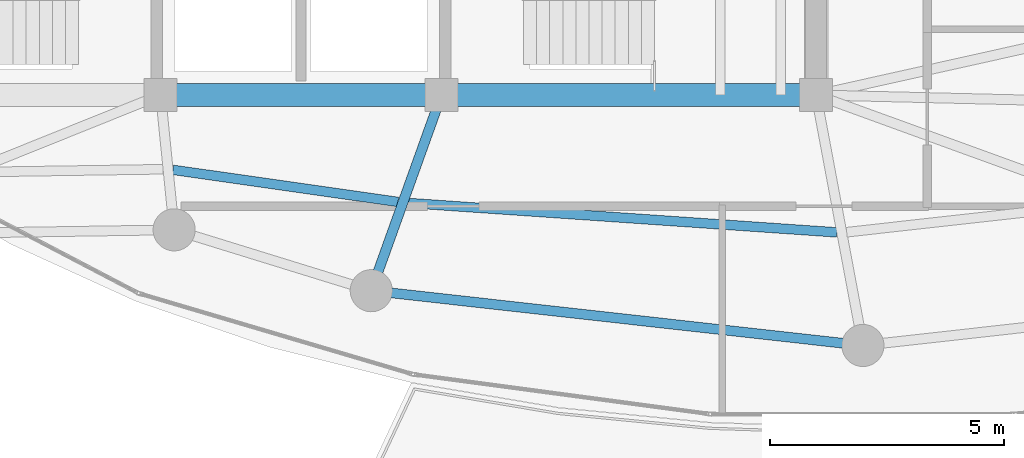
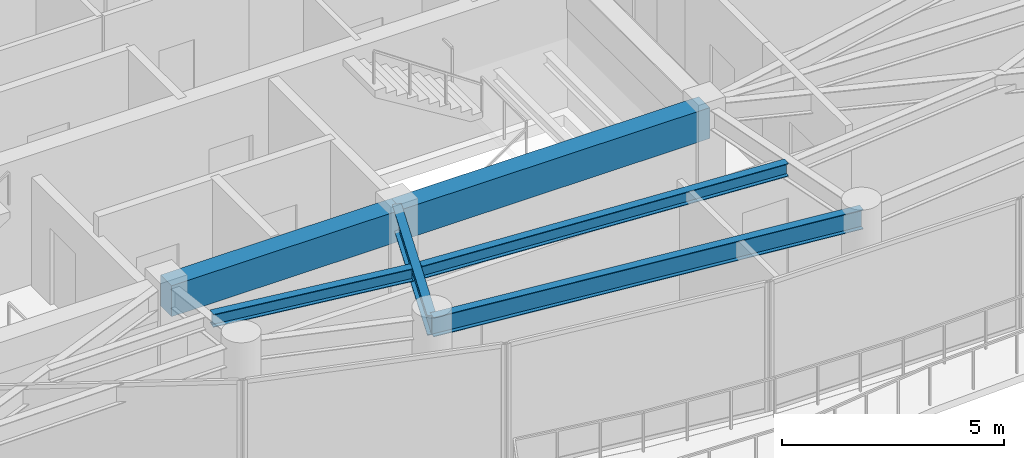
# One storey, part 6 of 29: 6 beams.
"""IFC4 building model written with IfcOpenShell, lengths in metres."""

from ifc_helpers import new_model, si_unit, direction, frame, origin, origin_2d, place, context, subcontext, project, spatial, rectangle, i_section, extrude, material, material_profile, profile_set, type_object, element, save


model = new_model("IFC4")

# Units and contexts
model_context = context("Model", 3, precision=1e-05, world=origin(), true_north=direction((0.0, 1.0)))
body_context = subcontext(model_context, "Body", "Model", "MODEL_VIEW")
ifc_project = project(units=[si_unit("LENGTHUNIT", "METRE"), si_unit("AREAUNIT", "SQUARE_METRE"), si_unit("VOLUMEUNIT", "CUBIC_METRE"), si_unit("PLANEANGLEUNIT", "RADIAN"), si_unit("MASSUNIT", "GRAM", prefix="KILO")], contexts=[model_context])

# Site, building, storey
site_placement = place(None, origin())
site = spatial("IfcSite", under=ifc_project, at=site_placement, CompositionType="ELEMENT")
building_placement = place(site_placement, origin())
building = spatial("IfcBuilding", under=site, at=building_placement, Name="Kazevale Care Tower and Concert Hall", CompositionType="ELEMENT")
storey_placement = place(building_placement, frame((0.0, 0.0, 281.39990234375)))
storey = spatial("IfcBuildingStorey", under=building, at=storey_placement, Name="L74", CompositionType="ELEMENT", Elevation=281.39990234375)

# Beams
ifc_material_1 = material(Name="Concrete C60", Category="concrete")
ifc_material_profile_1 = material_profile(ifc_material_1, rectangle(XDim=0.5, YDim=0.85009765625, at=origin_2d()), Name="RC-B500x850")
ifc_profile_set_1 = profile_set([ifc_material_profile_1], Name="Concrete C60")
beam_type_1 = type_object("IfcBeamType", Name="Core Coupling Beam RC500x850", PredefinedType="LINTEL", material=ifc_profile_set_1)
beam_1_placement = place(storey_placement, frame((30.0, 23.60009765625, 3.135009765625), z_axis=(1.0, 0.0, 0.0), x_axis=(0.0, 1.0, 0.0)))
element("IfcBeam", 1, at=beam_1_placement, inside=storey, type_object=beam_type_1, Name="beam:L74:coretie:2", PredefinedType="LINTEL", context=body_context, shape_type="SweptSolid", body=[
    extrude(rectangle(XDim=0.5, YDim=0.85009765625, at=origin_2d()), origin(), (0.0, 0.0, 1.0), 6.0),
])
beam_2_placement = place(storey_placement, frame((36.0, 23.60009765625, 3.135009765625), z_axis=(1.0, 0.0, 0.0), x_axis=(0.0, 1.0, 0.0)))
element("IfcBeam", 2, at=beam_2_placement, inside=storey, type_object=beam_type_1, Name="beam:L74:coretie:3", PredefinedType="LINTEL", context=body_context, shape_type="SweptSolid", body=[
    extrude(rectangle(XDim=0.5, YDim=0.85009765625, at=origin_2d()), origin(), (0.0, 0.0, 1.0), 8.0),
])
ifc_material_2 = material(Name="Steel ASTM A572 Gr 50", Category="steel")
ifc_material_profile_2 = material_profile(ifc_material_2, i_section(OverallWidth=0.2119140625, OverallDepth=0.5439453125, WebThickness=0.01318359375, FlangeThickness=0.021240234375, at=origin_2d()), Name="W530x123")
ifc_profile_set_2 = profile_set([ifc_material_profile_2], Name="Steel ASTM A572 Gr 50")
beam_type_2 = type_object("IfcBeamType", Name="Radial Floor Girder W530x123", PredefinedType="BEAM", material=ifc_profile_set_2)
beam_3_placement = place(storey_placement, frame((36.0, 23.60009765625, 3.2880859375), z_axis=(-0.33774987593, -0.941235900988, 0.0), x_axis=(0.941235900988, -0.33774987593, 0.0)))
element("IfcBeam", 3, at=beam_3_placement, inside=storey, type_object=beam_type_2, Name="beam:L74:rad:12", PredefinedType="BEAM", context=body_context, shape_type="SweptSolid", body=[
    extrude(i_section(OverallWidth=0.2119140625, OverallDepth=0.5439453125, WebThickness=0.01318359375, FlangeThickness=0.021240234375, at=origin_2d()), origin(), (0.0, 0.0, 1.0), 4.441162109375),
])
ifc_material_profile_3 = material_profile(ifc_material_2, i_section(OverallWidth=0.205078125, OverallDepth=0.35400390625, WebThickness=0.009521484375, FlangeThickness=0.016845703125, at=origin_2d()), Name="W360x79")
ifc_profile_set_3 = profile_set([ifc_material_profile_3], Name="Steel ASTM A572 Gr 50")
beam_type_3 = type_object("IfcBeamType", Name="Secondary Floor Joist W360x79", PredefinedType="JOIST", material=ifc_profile_set_3)
beam_4_placement = place(storey_placement, frame((30.262939453125, 22.0009765625, 3.383056640625), z_axis=(0.99000170599, -0.141055386768, 0.0), x_axis=(0.141055386768, 0.99000170599, 0.0)))
element("IfcBeam", 4, at=beam_4_placement, inside=storey, type_object=beam_type_3, Name="beam:L74:joist:11", PredefinedType="JOIST", context=body_context, shape_type="SweptSolid", body=[
    extrude(i_section(OverallWidth=0.205078125, OverallDepth=0.35400390625, WebThickness=0.009521484375, FlangeThickness=0.016845703125, at=origin_2d()), origin(), (0.0, 0.0, 1.0), 4.856689453125),
])
beam_5_placement = place(storey_placement, frame((35.280029296875, 21.2939453125, 3.383056640625), z_axis=(0.997653920332, -0.068459150207, 0.0), x_axis=(0.068459150207, 0.997653920332, 0.0)))
element("IfcBeam", 5, at=beam_5_placement, inside=storey, type_object=beam_type_3, Name="beam:L74:joist:12", PredefinedType="JOIST", context=body_context, shape_type="SweptSolid", body=[
    extrude(i_section(OverallWidth=0.205078125, OverallDepth=0.35400390625, WebThickness=0.009521484375, FlangeThickness=0.016845703125, at=origin_2d()), origin(), (0.0, 0.0, 1.0), 9.1865234375),
])
ifc_material_profile_4 = material_profile(ifc_material_2, i_section(OverallWidth=0.208984375, OverallDepth=0.532958984375, WebThickness=0.01025390625, FlangeThickness=0.015625, at=origin_2d()), Name="W530x92")
ifc_profile_set_4 = profile_set([ifc_material_profile_4], Name="Steel ASTM A572 Gr 50")
beam_type_4 = type_object("IfcBeamType", Name="Upper Ring Beam W530x92", PredefinedType="BEAM", material=ifc_profile_set_4)
beam_6_placement = place(storey_placement, frame((34.5, 19.419921875, 3.293701171875), z_axis=(0.993849870772, -0.110735876598, 0.0), x_axis=(0.110735876598, 0.993849870772, 0.0)))
element("IfcBeam", 6, at=beam_6_placement, inside=storey, type_object=beam_type_4, Name="beam:L74:ring:12", PredefinedType="BEAM", context=body_context, shape_type="SweptSolid", body=[
    extrude(i_section(OverallWidth=0.208984375, OverallDepth=0.532958984375, WebThickness=0.01025390625, FlangeThickness=0.015625, at=origin_2d()), origin(), (0.0, 0.0, 1.0), 10.56494140625),
])

save(model, "model.ifc")
